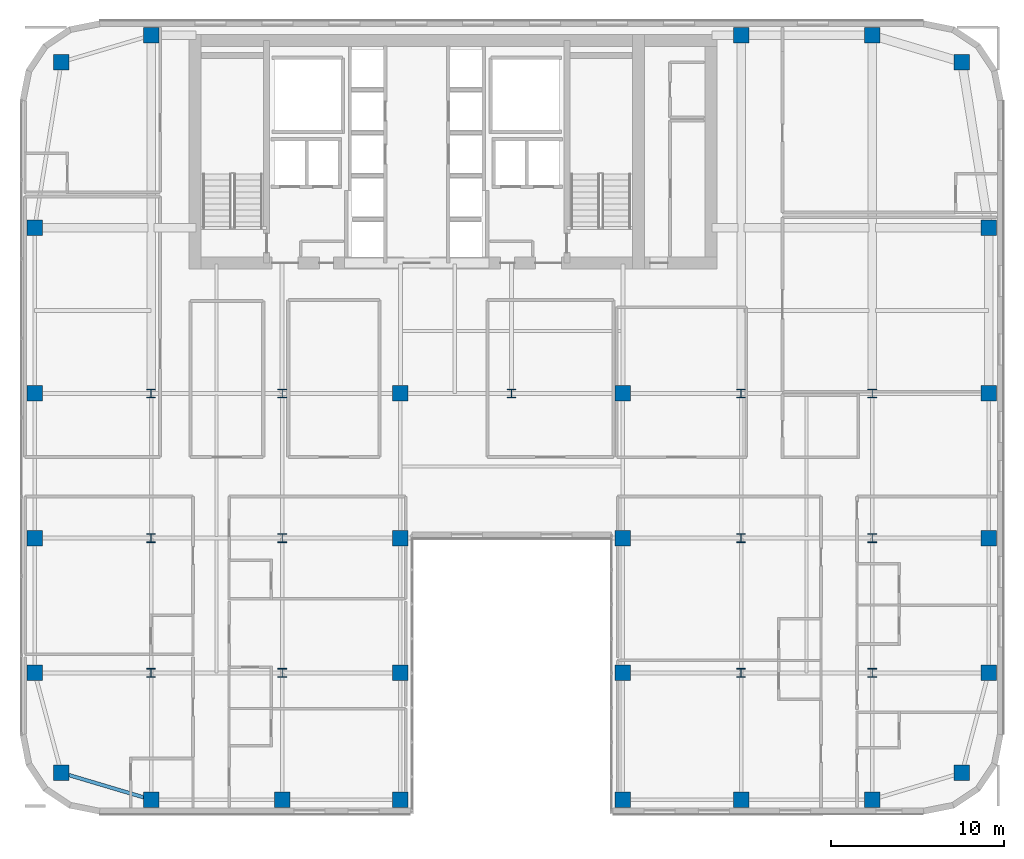
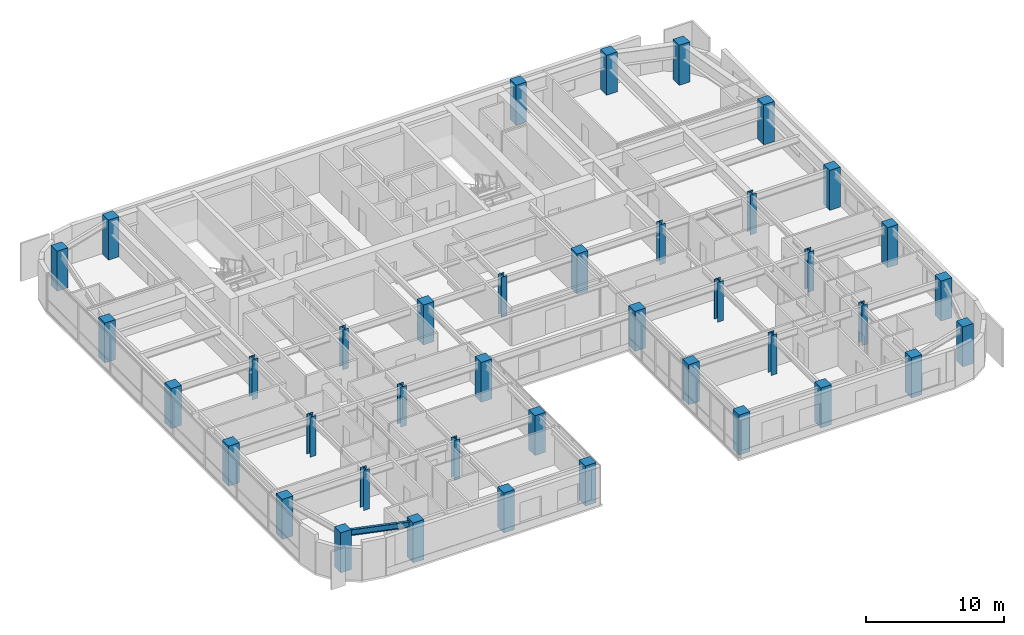
# One storey, part 1 of 37: 40 columns, 1 beam.
"""IFC4 building model written with IfcOpenShell, lengths in metres."""

from ifc_helpers import new_model, si_unit, direction, frame, origin, origin_2d, place, context, subcontext, project, spatial, rectangle, i_section, extrude, source, transform, mapped, material, material_profile, profile_set, type_object, type_shapes, element, save


model = new_model("IFC4")

# Units and contexts
model_context = context("Model", 3, precision=1e-05, world=origin(), true_north=direction((0.0, 1.0)))
body_context = subcontext(model_context, "Body", "Model", "MODEL_VIEW")
ifc_project = project(units=[si_unit("LENGTHUNIT", "METRE"), si_unit("AREAUNIT", "SQUARE_METRE"), si_unit("VOLUMEUNIT", "CUBIC_METRE"), si_unit("PLANEANGLEUNIT", "RADIAN"), si_unit("MASSUNIT", "GRAM", prefix="KILO")], contexts=[model_context])

# Site, building, storey
site_placement = place(None, origin())
site = spatial("IfcSite", under=ifc_project, at=site_placement, CompositionType="ELEMENT")
building_placement = place(site_placement, origin())
building = spatial("IfcBuilding", under=site, at=building_placement, Name="Tolvann Quenvar Hotel", CompositionType="ELEMENT")
storey_placement = place(building_placement, frame((0.0, 0.0, 104.449951171875)))
storey = spatial("IfcBuildingStorey", under=building, at=storey_placement, Name="L26", CompositionType="ELEMENT", Elevation=104.449951171875)

# Columns
ifc_material_1 = material(Name="Concrete S65 (65 MPa)", Category="concrete")
ifc_material_profile_1 = material_profile(ifc_material_1, rectangle(XDim=0.89990234375, YDim=0.89990234375, at=origin_2d()), Name="RC900x900")
ifc_profile_set_1 = profile_set([ifc_material_profile_1], Name="Concrete S65 (65 MPa)")
column_type_1 = type_object("IfcColumnType", Name="COL_RC900", PredefinedType="COLUMN", material=ifc_profile_set_1)
shared_shape_1 = source(origin(), body_context, "Body", "SweptSolid", [
    extrude(rectangle(XDim=0.89990234375, YDim=0.89990234375, at=origin_2d()), origin(), (0.0, 0.0, 1.0), 3.550048828125),
])
type_shapes(column_type_1, [shared_shape_1])
for number, where, z_axis, x_axis, name in (
    (1, (2.39990234375, 2.39990234375, 0.0), (0.0, 0.0, 1.0), (1.0, 0.0, 0.0), "Column B2 (L26)"),
    (2, (0.85009765625, 8.199951171875, 0.0), (0.0, 0.0, 1.0), (1.0, 0.0, 0.0), "Column B3 (L26)"),
    (3, (0.85009765625, 16.0, 0.0), (0.0, 0.0, 1.0), (1.0, 0.0, 0.0), "Column B4 (L26)"),
    (4, (0.85009765625, 24.39990234375, 0.0), (0.0, 0.0, 1.0), (1.0, 0.0, 0.0), "Column B5 (L26)"),
    (5, (7.60009765625, 0.85009765625, 0.0), (0.0, 0.0, 1.0), (1.0, 0.0, 0.0), "Column C2 (L26)"),
    (6, (15.199951171875, 0.85009765625, 0.0), (0.0, 0.0, 1.0), (1.0, 0.0, 0.0), "Column D2 (L26)"),
    (7, (22.050048828125, 0.85009765625, 0.0), (0.0, 0.0, 1.0), (1.0, 0.0, 0.0), "Column E2 (L26)"),
    (8, (22.050048828125, 8.199951171875, 0.0), (0.0, 0.0, 1.0), (1.0, 0.0, 0.0), "Column E3 (L26)"),
    (9, (22.050048828125, 16.0, 0.0), (0.0, 0.0, 1.0), (1.0, 0.0, 0.0), "Column E4 (L26)"),
    (10, (22.050048828125, 24.39990234375, 0.0), (0.0, 0.0, 1.0), (1.0, 0.0, 0.0), "Column E5 (L26)"),
    (11, (34.949951171875, 0.85009765625, 0.0), (0.0, 0.0, 1.0), (1.0, 0.0, 0.0), "Column F2 (L26)"),
    (12, (34.949951171875, 8.199951171875, 0.0), (0.0, 0.0, 1.0), (1.0, 0.0, 0.0), "Column F3 (L26)"),
    (13, (34.949951171875, 16.0, 0.0), (0.0, 0.0, 1.0), (1.0, 0.0, 0.0), "Column F4 (L26)"),
    (14, (34.949951171875, 24.39990234375, 0.0), (0.0, 0.0, 1.0), (1.0, 0.0, 0.0), "Column F5 (L26)"),
    (15, (41.800048828125, 0.85009765625, 0.0), (0.0, 0.0, 1.0), (1.0, 0.0, 0.0), "Column H2 (L26)"),
    (16, (49.39990234375, 0.85009765625, 0.0), (0.0, 0.0, 1.0), (1.0, 0.0, 0.0), "Column I2 (L26)"),
    (17, (54.60009765625, 2.39990234375, 0.0), (0.0, 0.0, 1.0), (1.0, 0.0, 0.0), "Column J2 (L26)"),
    (18, (56.14990234375, 8.199951171875, 0.0), (0.0, 0.0, 1.0), (1.0, 0.0, 0.0), "Column J3 (L26)"),
    (19, (56.14990234375, 16.0, 0.0), (0.0, 0.0, 1.0), (1.0, 0.0, 0.0), "Column J4 (L26)"),
    (20, (56.14990234375, 24.39990234375, 0.0), (0.0, 0.0, 1.0), (1.0, 0.0, 0.0), "Column J5 (L26)"),
    (21, (2.39990234375, 43.60009765625, 0.0), (0.0, 0.0, 1.0), (1.0, 0.0, 0.0), "Column BN (L26)"),
    (22, (7.60009765625, 45.14990234375, 0.0), (0.0, 0.0, 1.0), (1.0, 0.0, 0.0), "Column CN (L26)"),
    (23, (0.85009765625, 34.0, 0.0), (0.0, 0.0, 1.0), (1.0, 0.0, 0.0), "Column BD6 (L26)"),
    (24, (41.800048828125, 45.14990234375, 0.0), (0.0, 0.0, 1.0), (1.0, 0.0, 0.0), "Column HN (L26)"),
    (25, (49.39990234375, 45.14990234375, 0.0), (0.0, 0.0, 1.0), (1.0, 0.0, 0.0), "Column IN (L26)"),
    (26, (54.60009765625, 43.60009765625, 0.0), (0.0, 0.0, 1.0), (1.0, 0.0, 0.0), "Column JN (L26)"),
    (27, (56.14990234375, 34.0, 0.0), (0.0, 0.0, 1.0), (1.0, 0.0, 0.0), "Column JD6 (L26)"),
):
    element("IfcColumn", number, at=place(storey_placement, frame(where, z_axis=z_axis, x_axis=x_axis)), inside=storey, type_object=column_type_1, Name=name, PredefinedType="COLUMN", context=body_context, shape_type="MappedRepresentation", body=[
        mapped(shared_shape_1, transform((0.0, 0.0, 0.0), x_axis=(1.0, 0.0, 0.0), y_axis=(0.0, 1.0, 0.0), z_axis=(0.0, 0.0, 1.0), scale=1.0)),
    ])
ifc_material_2 = material(Name="Steel Grade 350", Category="steel")
ifc_material_profile_2 = material_profile(ifc_material_2, i_section(OverallWidth=0.5, OverallDepth=0.5, WebThickness=0.02197265625, FlangeThickness=0.033935546875, at=origin_2d()), Name="500WC340")
ifc_profile_set_2 = profile_set([ifc_material_profile_2], Name="Steel Grade 350")
column_type_2 = type_object("IfcColumnType", Name="COL_500WC340", PredefinedType="COLUMN", material=ifc_profile_set_2)
shared_shape_2 = source(origin(), body_context, "Body", "SweptSolid", [
    extrude(i_section(OverallWidth=0.5, OverallDepth=0.5, WebThickness=0.02197265625, FlangeThickness=0.033935546875, at=origin_2d()), origin(), (0.0, 0.0, 1.0), 3.550048828125),
])
type_shapes(column_type_2, [shared_shape_2])
for number, where, z_axis, x_axis, name in (
    (28, (7.60009765625, 8.199951171875, 0.0), (0.0, 0.0, 1.0), (1.0, 0.0, 0.0), "Column C3 (L26)"),
    (29, (7.60009765625, 16.0, 0.0), (0.0, 0.0, 1.0), (1.0, 0.0, 0.0), "Column C4 (L26)"),
    (30, (7.60009765625, 24.39990234375, 0.0), (0.0, 0.0, 1.0), (1.0, 0.0, 0.0), "Column C5 (L26)"),
    (31, (15.199951171875, 8.199951171875, 0.0), (0.0, 0.0, 1.0), (1.0, 0.0, 0.0), "Column D3 (L26)"),
    (32, (15.199951171875, 16.0, 0.0), (0.0, 0.0, 1.0), (1.0, 0.0, 0.0), "Column D4 (L26)"),
    (33, (15.199951171875, 24.39990234375, 0.0), (0.0, 0.0, 1.0), (1.0, 0.0, 0.0), "Column D5 (L26)"),
    (34, (41.800048828125, 8.199951171875, 0.0), (0.0, 0.0, 1.0), (1.0, 0.0, 0.0), "Column H3 (L26)"),
    (35, (41.800048828125, 16.0, 0.0), (0.0, 0.0, 1.0), (1.0, 0.0, 0.0), "Column H4 (L26)"),
    (36, (41.800048828125, 24.39990234375, 0.0), (0.0, 0.0, 1.0), (1.0, 0.0, 0.0), "Column H5 (L26)"),
    (37, (49.39990234375, 8.199951171875, 0.0), (0.0, 0.0, 1.0), (1.0, 0.0, 0.0), "Column I3 (L26)"),
    (38, (49.39990234375, 16.0, 0.0), (0.0, 0.0, 1.0), (1.0, 0.0, 0.0), "Column I4 (L26)"),
    (39, (49.39990234375, 24.39990234375, 0.0), (0.0, 0.0, 1.0), (1.0, 0.0, 0.0), "Column I5 (L26)"),
    (40, (28.5, 24.39990234375, 0.0), (0.0, 0.0, 1.0), (1.0, 0.0, 0.0), "Column M5 (L26)"),
):
    element("IfcColumn", number, at=place(storey_placement, frame(where, z_axis=z_axis, x_axis=x_axis)), inside=storey, type_object=column_type_2, Name=name, PredefinedType="COLUMN", context=body_context, shape_type="MappedRepresentation", body=[
        mapped(shared_shape_2, transform((0.0, 0.0, 0.0), x_axis=(1.0, 0.0, 0.0), y_axis=(0.0, 1.0, 0.0), z_axis=(0.0, 0.0, 1.0), scale=1.0)),
    ])

# Beam
ifc_material_profile_3 = material_profile(ifc_material_2, i_section(OverallWidth=0.208984375, OverallDepth=0.528076171875, WebThickness=0.009521484375, FlangeThickness=0.01318359375, FilletRadius=0.013916015625, at=origin_2d()), Name="530UB82")
ifc_profile_set_3 = profile_set([ifc_material_profile_3], Name="Steel Grade 350")
beam_type = type_object("IfcBeamType", Name="BM_SPAND_530UB82", PredefinedType="SPANDREL", material=ifc_profile_set_3)
shared_shape_3 = source(origin(), body_context, "Body", "SweptSolid", [
    extrude(i_section(OverallWidth=0.208984375, OverallDepth=0.528076171875, WebThickness=0.009521484375, FlangeThickness=0.01318359375, FilletRadius=0.013916015625, at=origin_2d()), origin(), (0.0, 0.0, 1.0), 5.42626953125),
])
type_shapes(beam_type, [shared_shape_3])
beam_placement = place(storey_placement, frame((2.39990234375, 2.39990234375, 3.10595703125), z_axis=(0.958344815522, -0.285613750654, 0.0), x_axis=(0.285613750654, 0.958344815522, 0.0)))
element("IfcBeam", 41, at=beam_placement, inside=storey, type_object=beam_type, Name="BM-L26-EW-2-B2-C2", PredefinedType="SPANDREL", context=body_context, shape_type="MappedRepresentation", body=[
    mapped(shared_shape_3, transform((0.0, 0.0, 0.0), x_axis=(1.0, 0.0, 0.0), y_axis=(0.0, 1.0, 0.0), z_axis=(0.0, 0.0, 1.0), scale=1.0)),
])

save(model, "model.ifc")
